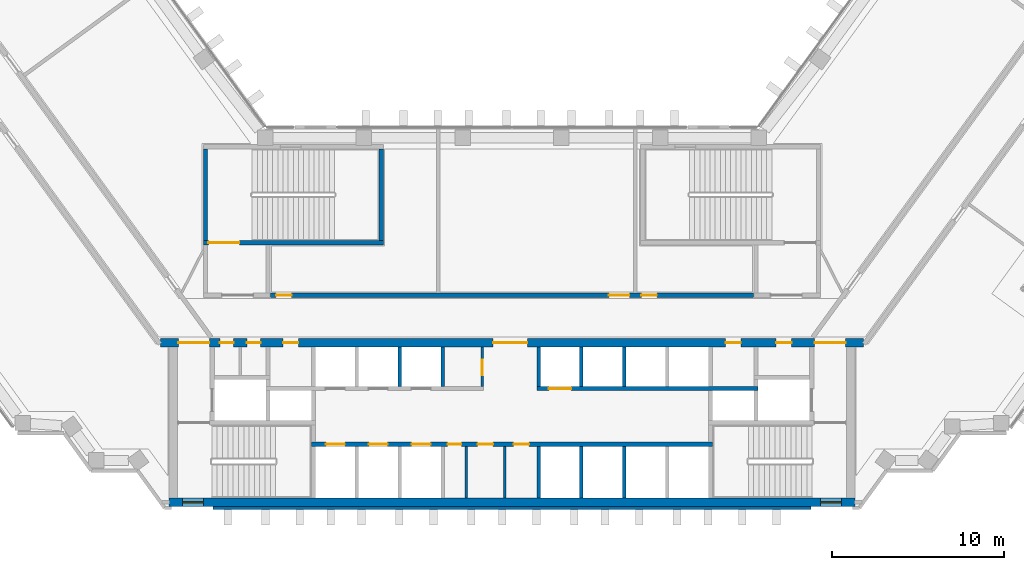
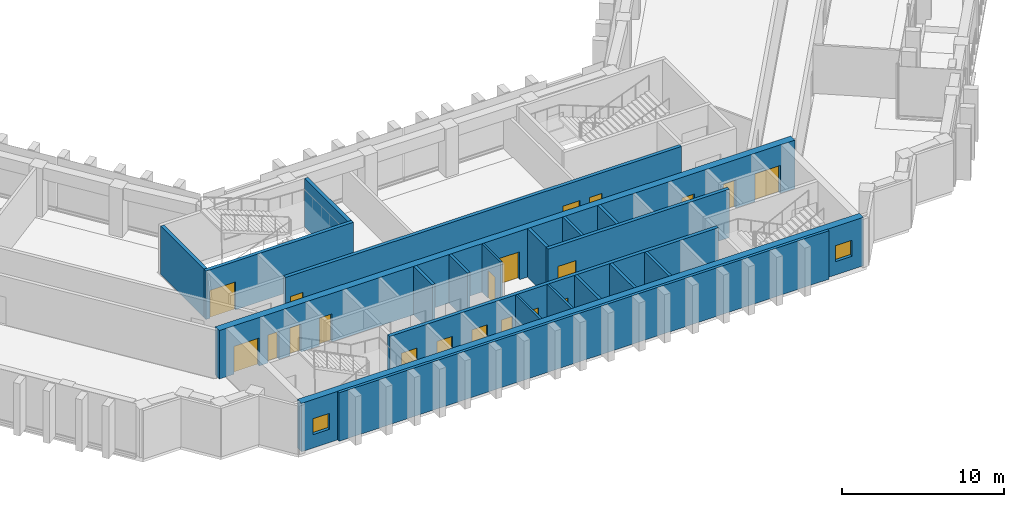
# One storey, part 8 of 15: 20 doors, 20 walls, 2 windows, 22 openings.
"""IFC4 building model written with IfcOpenShell, lengths in metres."""

import ifcopenshell
import ifcopenshell.guid

model = None  # the IFC model being written
_history = None  # IfcOwnerHistory: only IFC2X3 demands one
_inside = {}  # id of a spatial element -> (the spatial element, [elements in it])
_under = {}  # id of a project, library or spatial element -> (it, [spatial elements below it])
_declared = {}  # id of a project -> (the project, [libraries it declares])
_typed = {}  # id of a type object -> (the type object, [elements of that type])
_made_of = {}  # id of a material, layer set ... -> (it, [elements and type objects made of it])


def new_model(schema):
    """Start an empty IFC model of exactly this schema.

    Asked for "IFC4X3", IfcOpenShell would pick the latest addendum, in which some entities
    have other attributes; the version numbers below select the first issue.
    IFC2X3 requires an IfcOwnerHistory on every rooted entity: one is made here for all.
    """
    global model, _history
    if schema == "IFC4X3":
        model = ifcopenshell.file(schema_version=(4, 3, 0, 0))
    else:
        model = ifcopenshell.file(schema=schema)
    _inside.clear()
    _under.clear()
    _declared.clear()
    _typed.clear()
    _made_of.clear()
    _history = None
    if model.schema == "IFC2X3":
        org = make("IfcOrganization", Name="unknown")
        user = make(
            "IfcPersonAndOrganization",
            ThePerson=make("IfcPerson", FamilyName="unknown"),
            TheOrganization=org,
        )
        app = make(
            "IfcApplication",
            ApplicationDeveloper=org,
            Version="unknown",
            ApplicationFullName="unknown",
            ApplicationIdentifier="unknown",
        )
        _history = make(
            "IfcOwnerHistory",
            OwningUser=user,
            OwningApplication=app,
            ChangeAction="ADDED",
            CreationDate=0,
        )
    return model


def make(cls, **values):
    """One entity of the class cls with the attributes given. An attribute that is None is left unset."""
    return model.create_entity(
        cls, **{name: value for name, value in values.items() if value is not None}
    )


def rooted(cls, **values):
    """An entity with a GlobalId (a new one), such as an element, a storey or a relation."""
    return make(cls, GlobalId=ifcopenshell.guid.new(), OwnerHistory=_history, **values)


def si_unit(unit_type, name, prefix=None):
    """IfcSIUnit, for example si_unit("LENGTHUNIT", "METRE", prefix="MILLI")."""
    return make("IfcSIUnit", UnitType=unit_type, Prefix=prefix, Name=name)


def assignment(units):
    """IfcUnitAssignment: the units of a project."""
    return None if units is None else make("IfcUnitAssignment", Units=units)


def point(xyz):
    """IfcCartesianPoint."""
    return None if xyz is None else make("IfcCartesianPoint", Coordinates=xyz)


def direction(xyz):
    """IfcDirection."""
    return None if xyz is None else make("IfcDirection", DirectionRatios=xyz)


def frame(location, z_axis=None, x_axis=None):
    """IfcAxis2Placement3D, a coordinate frame: its origin and axes. An axis left out is left unset."""
    return make(
        "IfcAxis2Placement3D",
        Location=point(location),
        Axis=direction(z_axis),
        RefDirection=direction(x_axis),
    )


def frame_2d(location, x_axis=None):
    """IfcAxis2Placement2D, a coordinate frame in the plane: its origin and x axis."""
    return make(
        "IfcAxis2Placement2D", Location=point(location), RefDirection=direction(x_axis)
    )


def origin():
    """The frame at (0, 0, 0) with its axes left unset."""
    return frame((0.0, 0.0, 0.0))


def place(relative_to, where):
    """IfcLocalPlacement: puts the frame where relative to a parent placement (None: the world)."""
    return make(
        "IfcLocalPlacement", PlacementRelTo=relative_to, RelativePlacement=where
    )


def context(
    kind, dimensions, precision=None, world=None, true_north=None, identifier=None
):
    """IfcGeometricRepresentationContext, for example the 3D "Model" context."""
    return make(
        "IfcGeometricRepresentationContext",
        ContextIdentifier=identifier,
        ContextType=kind,
        CoordinateSpaceDimension=dimensions,
        Precision=precision,
        WorldCoordinateSystem=world,
        TrueNorth=true_north,
    )


def subcontext(parent, identifier, kind, view, scale=None):
    """IfcGeometricRepresentationSubContext, for example "Body" below "Model"."""
    return make(
        "IfcGeometricRepresentationSubContext",
        ContextIdentifier=identifier,
        ContextType=kind,
        ParentContext=parent,
        TargetScale=scale,
        TargetView=view,
    )


def project(units=None, contexts=None):
    """IfcProject with its units and contexts."""
    return rooted(
        "IfcProject",
        Name="project",
        RepresentationContexts=contexts,
        UnitsInContext=assignment(units),
    )


def spatial(cls, under=None, at=None, **own):
    """A site, building, storey or space (cls), placed at a placement, below another one or the project."""
    s = rooted(cls, ObjectPlacement=at, **own)
    if under is not None:
        _under.setdefault(under.id(), (under, []))[1].append(s)
    return s


def profile(cls, at=None, kind="AREA", **sizes):
    """A parametric profile (cls). Its sizes go by their IFC names, for example OverallWidth=200.0."""
    return make(cls, ProfileType=kind, Position=at, **sizes)


def rectangle(**sizes):
    """IfcRectangleProfileDef."""
    return profile("IfcRectangleProfileDef", **sizes)


def extrude(swept, where, along, depth):
    """IfcExtrudedAreaSolid: the profile swept, set in the frame where, extruded along a direction by depth."""
    return make(
        "IfcExtrudedAreaSolid",
        SweptArea=swept,
        Position=where,
        ExtrudedDirection=direction(along),
        Depth=depth,
    )


def shape(context_of_items, identifier, shape_type, items):
    """IfcShapeRepresentation: the items that make up one representation, for example the "Body"."""
    return make(
        "IfcShapeRepresentation",
        ContextOfItems=context_of_items,
        RepresentationIdentifier=identifier,
        RepresentationType=shape_type,
        Items=items,
    )


def material(Name=None, Category=None):
    """IfcMaterial."""
    return make("IfcMaterial", Name=Name, Category=Category)


def layer(
    of_material, thickness, ventilated=None, Name=None, Category=None, Priority=None
):
    """IfcMaterialLayer: one layer of a wall or slab, of a material (None: an air gap)."""
    return make(
        "IfcMaterialLayer",
        Material=of_material,
        LayerThickness=thickness,
        IsVentilated=ventilated,
        Name=Name,
        Category=Category,
        Priority=Priority,
    )


def layer_set(layers, Name=None):
    """IfcMaterialLayerSet."""
    return make("IfcMaterialLayerSet", MaterialLayers=layers, LayerSetName=Name)


def made_of(thing, what):
    """Note that an element or type object is made of a material, layer set ...; save() writes the relation."""
    if what is not None:
        _made_of.setdefault(what.id(), (what, []))[1].append(thing)
    return thing


def type_object(cls, material=None, **own):
    """A type object (cls), such as IfcWallType, which elements share."""
    return made_of(rooted(cls, **own), material)


def element(
    cls,
    number,
    at=None,
    inside=None,
    cuts=None,
    type_object=None,
    material=None,
    context=None,
    identifier="Body",
    shape_type=None,
    held_by="IfcProductDefinitionShape",
    body=None,
    shapes=None,
    **own,
):
    """One element of the class cls, such as IfcWall. Its Tag is "e" and its number.

    at: its placement. inside: the storey or other place that contains it. cuts: it is an
    opening in that element (IfcRelVoidsElement). A single representation is given by context,
    identifier, shape_type and body (its items); several are given by shapes. held_by: the class
    of the entity that holds the representations. save() writes the other relations.
    """
    e = rooted(cls, Tag="e%d" % number, ObjectPlacement=at, **own)
    if body is not None:
        shapes = [shape(context, identifier, shape_type, body)]
    if shapes is not None:
        e.Representation = make(held_by, Representations=shapes)
    if inside is not None:
        _inside.setdefault(inside.id(), (inside, []))[1].append(e)
    if cuts is not None:
        rooted(
            "IfcRelVoidsElement", RelatingBuildingElement=cuts, RelatedOpeningElement=e
        )
    if type_object is not None:
        _typed.setdefault(type_object.id(), (type_object, []))[1].append(e)
    return made_of(e, material)


def fill(opening, filler):
    """IfcRelFillsElement: the door or window that sits in an opening."""
    return rooted(
        "IfcRelFillsElement",
        RelatingOpeningElement=opening,
        RelatedBuildingElement=filler,
    )


def aggregate(whole, parts):
    """IfcRelAggregates: a whole, such as a stair, and the parts it consists of."""
    return rooted("IfcRelAggregates", RelatingObject=whole, RelatedObjects=parts)


def save(model, path):
    """Write the relations noted so far, then the file.

    IfcRelAggregates (storeys below a building ...), IfcRelContainedInSpatialStructure (elements
    in a storey), IfcRelDefinesByType, IfcRelAssociatesMaterial and IfcRelDeclares: one each for
    every whole, place, type object, material and project.
    """
    for whole, parts in _under.values():
        aggregate(whole, parts)
    for where, things in _inside.values():
        rooted(
            "IfcRelContainedInSpatialStructure",
            RelatedElements=things,
            RelatingStructure=where,
        )
    for kind, things in _typed.values():
        rooted("IfcRelDefinesByType", RelatedObjects=things, RelatingType=kind)
    for what, things in _made_of.values():
        rooted("IfcRelAssociatesMaterial", RelatedObjects=things, RelatingMaterial=what)
    for by, libraries in _declared.values():
        rooted("IfcRelDeclares", RelatingContext=by, RelatedDefinitions=libraries)
    model.write(path)


model = new_model("IFC4")

# Units and contexts
model_context = context("Model", 3, precision=1e-05, world=origin(), true_north=direction((0.0, 1.0)))
body_context = subcontext(model_context, "Body", "Model", "MODEL_VIEW")
ifc_project = project(units=[si_unit("LENGTHUNIT", "METRE"), si_unit("AREAUNIT", "SQUARE_METRE"), si_unit("VOLUMEUNIT", "CUBIC_METRE"), si_unit("PLANEANGLEUNIT", "RADIAN"), si_unit("MASSUNIT", "GRAM", prefix="KILO")], contexts=[model_context])

# Site, building, storey
site_placement = place(None, origin())
site = spatial("IfcSite", under=ifc_project, at=site_placement, CompositionType="ELEMENT")
building_placement = place(site_placement, origin())
building = spatial("IfcBuilding", under=site, at=building_placement, Name="Quipu Civic Tower", CompositionType="ELEMENT")
storey_placement = place(building_placement, frame((0.0, 0.0, 97.0)))
storey = spatial("IfcBuildingStorey", under=building, at=storey_placement, Name="L22", CompositionType="ELEMENT", Elevation=97.0)

# Wall, openings, doors
ifc_material_1 = material(Name="Concrete C70/85", Category="concrete")
ifc_layer_1 = layer(ifc_material_1, 0.25)
ifc_layer_set_1 = layer_set([ifc_layer_1], Name="Concrete C70/85")
wall_type_1 = type_object("IfcWallType", Name="Core wall 250", PredefinedType="SHEAR", material=ifc_layer_set_1)
wall_1_placement = place(storey_placement, frame((11.699951171875, -7.375, 0.0), z_axis=(0.0, 0.0, 1.0), x_axis=(-1.0, 0.0, 0.0)))
wall_1 = element("IfcWall", 1, at=wall_1_placement, inside=storey, type_object=wall_type_1, Name="Core wall", PredefinedType="SHEAR", context=body_context, shape_type="SweptSolid", body=[
    extrude(rectangle(XDim=23.39990234375, YDim=0.25, at=frame_2d((11.699951171875, 0.0))), origin(), (0.0, 0.0, 1.0), 3.64990234375),
])
opening_1_placement = place(wall_1_placement, frame((21.449951171875, 0.0, 0.0)))
opening_1 = element("IfcOpeningElement", 2, at=opening_1_placement, cuts=wall_1, Name="Opening LD-LL1", PredefinedType="OPENING", context=body_context, shape_type="SweptSolid", body=[
    extrude(rectangle(XDim=1.10009765625, YDim=2.10009765625, at=frame_2d((0.550048828125, 1.050048828125))), frame((0.0, 0.135009765625, 0.0), z_axis=(0.0, -1.0, 0.0), x_axis=(1.0, 0.0, 0.0)), (0.0, 0.0, 1.0), 0.27001953125),
])
opening_2_placement = place(wall_1_placement, frame((18.949951171875, 0.0, 0.0)))
opening_2 = element("IfcOpeningElement", 3, at=opening_2_placement, cuts=wall_1, Name="Opening LD-LL2", PredefinedType="OPENING", context=body_context, shape_type="SweptSolid", body=[
    extrude(rectangle(XDim=1.10009765625, YDim=2.10009765625, at=frame_2d((0.550048828125, 1.050048828125))), frame((0.0, 0.135009765625, 0.0), z_axis=(0.0, -1.0, 0.0), x_axis=(1.0, 0.0, 0.0)), (0.0, 0.0, 1.0), 0.27001953125),
])
opening_3_placement = place(wall_1_placement, frame((16.449951171875, 0.0, 0.0)))
opening_3 = element("IfcOpeningElement", 4, at=opening_3_placement, cuts=wall_1, Name="Opening LD-LL3", PredefinedType="OPENING", context=body_context, shape_type="SweptSolid", body=[
    extrude(rectangle(XDim=1.10009765625, YDim=2.10009765625, at=frame_2d((0.550048828125, 1.050048828125))), frame((0.0, 0.135009765625, 0.0), z_axis=(0.0, -1.0, 0.0), x_axis=(1.0, 0.0, 0.0)), (0.0, 0.0, 1.0), 0.27001953125),
])
opening_4_placement = place(wall_1_placement, frame((14.64990234375, 0.0, 0.0)))
opening_4 = element("IfcOpeningElement", 5, at=opening_4_placement, cuts=wall_1, Name="Opening CD-01", PredefinedType="OPENING", context=body_context, shape_type="SweptSolid", body=[
    extrude(rectangle(XDim=0.800048828125, YDim=2.10009765625, at=frame_2d((0.39990234375, 1.050048828125))), frame((0.0, 0.135009765625, 0.0), z_axis=(0.0, -1.0, 0.0), x_axis=(1.0, 0.0, 0.0)), (0.0, 0.0, 1.0), 0.27001953125),
])
opening_5_placement = place(wall_1_placement, frame((12.800048828125, 0.0, 0.0)))
opening_5 = element("IfcOpeningElement", 6, at=opening_5_placement, cuts=wall_1, Name="Opening CD-02", PredefinedType="OPENING", context=body_context, shape_type="SweptSolid", body=[
    extrude(rectangle(XDim=0.89990234375, YDim=2.10009765625, at=frame_2d((0.449951171875, 1.050048828125))), frame((0.0, 0.135009765625, 0.0), z_axis=(0.0, -1.0, 0.0), x_axis=(1.0, 0.0, 0.0)), (0.0, 0.0, 1.0), 0.27001953125),
])
opening_6_placement = place(wall_1_placement, frame((10.699951171875, 0.0, 0.0)))
opening_6 = element("IfcOpeningElement", 7, at=opening_6_placement, cuts=wall_1, Name="Opening CD-03", PredefinedType="OPENING", context=body_context, shape_type="SweptSolid", body=[
    extrude(rectangle(XDim=0.89990234375, YDim=2.10009765625, at=frame_2d((0.449951171875, 1.050048828125))), frame((0.0, 0.135009765625, 0.0), z_axis=(0.0, -1.0, 0.0), x_axis=(1.0, 0.0, 0.0)), (0.0, 0.0, 1.0), 0.27001953125),
])
ifc_material_2 = material(Name="Fire rated steel door", Category="steel")
door_type_1 = type_object("IfcDoorType", Name="Fire door FD60 800 x 2100", OperationType="NOTDEFINED", PredefinedType="DOOR", material=ifc_material_2)
door_1_placement = place(opening_4_placement, origin())
door_1 = element("IfcDoor", 8, at=door_1_placement, inside=storey, type_object=door_type_1, Name="Door", OperationType="SINGLE_SWING_RIGHT", OverallHeight=2.10009765625, OverallWidth=0.800048828125, PredefinedType="DOOR", context=body_context, shape_type="SweptSolid", body=[
    extrude(rectangle(XDim=0.800048828125, YDim=2.10009765625, at=frame_2d((0.39990234375, 1.050048828125))), frame((0.0, 0.02490234375, 0.0), z_axis=(0.0, -1.0, 0.0), x_axis=(1.0, 0.0, 0.0)), (0.0, 0.0, 1.0), 0.050048828125),
])
fill(opening_4, door_1)
ifc_material_3 = material(Name="Fire rated steel door", Category="steel")
door_type_2 = type_object("IfcDoorType", Name="Fire door FD60 900 x 2100", OperationType="NOTDEFINED", PredefinedType="DOOR", material=ifc_material_3)
door_2_placement = place(opening_5_placement, origin())
door_2 = element("IfcDoor", 9, at=door_2_placement, inside=storey, type_object=door_type_2, Name="WC door", OperationType="SINGLE_SWING_RIGHT", OverallHeight=2.10009765625, OverallWidth=0.89990234375, PredefinedType="DOOR", context=body_context, shape_type="SweptSolid", body=[
    extrude(rectangle(XDim=0.89990234375, YDim=2.10009765625, at=frame_2d((0.449951171875, 1.050048828125))), frame((0.0, 0.02490234375, 0.0), z_axis=(0.0, -1.0, 0.0), x_axis=(1.0, 0.0, 0.0)), (0.0, 0.0, 1.0), 0.050048828125),
])
fill(opening_5, door_2)
door_3_placement = place(opening_6_placement, origin())
door_3 = element("IfcDoor", 10, at=door_3_placement, inside=storey, type_object=door_type_2, Name="WC door", OperationType="SINGLE_SWING_LEFT", OverallHeight=2.10009765625, OverallWidth=0.89990234375, PredefinedType="DOOR", context=body_context, shape_type="SweptSolid", body=[
    extrude(rectangle(XDim=0.89990234375, YDim=2.10009765625, at=frame_2d((0.449951171875, 1.050048828125))), frame((0.0, 0.02490234375, 0.0), z_axis=(0.0, -1.0, 0.0), x_axis=(1.0, 0.0, 0.0)), (0.0, 0.0, 1.0), 0.050048828125),
])
fill(opening_6, door_3)
ifc_material_4 = material(Name="Stainless steel", Category="steel")
door_type_3 = type_object("IfcDoorType", Name="Lift landing door 1100 x 2100", OperationType="DOUBLE_DOOR_SLIDING", PredefinedType="DOOR", material=ifc_material_4)
door_4_placement = place(opening_1_placement, origin())
door_4 = element("IfcDoor", 11, at=door_4_placement, inside=storey, type_object=door_type_3, Name="Landing door LL1", OperationType="DOUBLE_DOOR_SLIDING", OverallHeight=2.10009765625, OverallWidth=1.10009765625, PredefinedType="DOOR", context=body_context, shape_type="SweptSolid", body=[
    extrude(rectangle(XDim=1.10009765625, YDim=2.10009765625, at=frame_2d((0.550048828125, 1.050048828125))), frame((0.0, 0.02490234375, 0.0), z_axis=(0.0, -1.0, 0.0), x_axis=(1.0, 0.0, 0.0)), (0.0, 0.0, 1.0), 0.050048828125),
])
fill(opening_1, door_4)
door_5_placement = place(opening_2_placement, origin())
door_5 = element("IfcDoor", 12, at=door_5_placement, inside=storey, type_object=door_type_3, Name="Landing door LL2", OperationType="DOUBLE_DOOR_SLIDING", OverallHeight=2.10009765625, OverallWidth=1.10009765625, PredefinedType="DOOR", context=body_context, shape_type="SweptSolid", body=[
    extrude(rectangle(XDim=1.10009765625, YDim=2.10009765625, at=frame_2d((0.550048828125, 1.050048828125))), frame((0.0, 0.02490234375, 0.0), z_axis=(0.0, -1.0, 0.0), x_axis=(1.0, 0.0, 0.0)), (0.0, 0.0, 1.0), 0.050048828125),
])
fill(opening_2, door_5)
door_6_placement = place(opening_3_placement, origin())
door_6 = element("IfcDoor", 13, at=door_6_placement, inside=storey, type_object=door_type_3, Name="Landing door LL3", OperationType="DOUBLE_DOOR_SLIDING", OverallHeight=2.10009765625, OverallWidth=1.10009765625, PredefinedType="DOOR", context=body_context, shape_type="SweptSolid", body=[
    extrude(rectangle(XDim=1.10009765625, YDim=2.10009765625, at=frame_2d((0.550048828125, 1.050048828125))), frame((0.0, 0.02490234375, 0.0), z_axis=(0.0, -1.0, 0.0), x_axis=(1.0, 0.0, 0.0)), (0.0, 0.0, 1.0), 0.050048828125),
])
fill(opening_3, door_6)

# Wall, opening, door
wall_2_placement = place(storey_placement, frame((1.449951171875, -4.125, 0.0), z_axis=(0.0, 0.0, 1.0), x_axis=(1.0, 0.0, 0.0)))
wall_2 = element("IfcWall", 14, at=wall_2_placement, inside=storey, type_object=wall_type_1, Name="Core wall", PredefinedType="SHEAR", context=body_context, shape_type="SweptSolid", body=[
    extrude(rectangle(XDim=12.900146484375, YDim=0.25, at=frame_2d((6.4501953125, 0.0))), origin(), (0.0, 0.0, 1.0), 3.64990234375),
])
opening_7_placement = place(wall_2_placement, frame((0.699951171875, 0.0, 0.0)))
opening_7 = element("IfcOpeningElement", 15, at=opening_7_placement, cuts=wall_2, Name="Opening LD-FF3", PredefinedType="OPENING", context=body_context, shape_type="SweptSolid", body=[
    extrude(rectangle(XDim=1.300048828125, YDim=2.10009765625, at=frame_2d((0.64990234375, 1.050048828125))), frame((0.0, 0.135009765625, 0.0), z_axis=(0.0, -1.0, 0.0), x_axis=(1.0, 0.0, 0.0)), (0.0, 0.0, 1.0), 0.27001953125),
])
ifc_material_5 = material(Name="Stainless steel", Category="steel")
door_type_4 = type_object("IfcDoorType", Name="Lift landing door 1300 x 2100", OperationType="DOUBLE_DOOR_SLIDING", PredefinedType="DOOR", material=ifc_material_5)
door_7_placement = place(opening_7_placement, origin())
door_7 = element("IfcDoor", 16, at=door_7_placement, inside=storey, type_object=door_type_4, Name="Landing door FF3", OperationType="DOUBLE_DOOR_SLIDING", OverallHeight=2.10009765625, OverallWidth=1.300048828125, PredefinedType="DOOR", context=body_context, shape_type="SweptSolid", body=[
    extrude(rectangle(XDim=1.300048828125, YDim=2.10009765625, at=frame_2d((0.64990234375, 1.050048828125))), frame((0.0, 0.02490234375, 0.0), z_axis=(0.0, -1.0, 0.0), x_axis=(1.0, 0.0, 0.0)), (0.0, 0.0, 1.0), 0.050048828125),
])
fill(opening_7, door_7)

wall_3_placement = place(storey_placement, frame((-18.0, 4.375, 0.0), z_axis=(0.0, 0.0, 1.0), x_axis=(1.0, 0.0, 0.0)))
wall_3 = element("IfcWall", 17, at=wall_3_placement, inside=storey, type_object=wall_type_1, Name="Core wall", PredefinedType="SHEAR", context=body_context, shape_type="SweptSolid", body=[
    extrude(rectangle(XDim=10.5, YDim=0.25, at=frame_2d((5.25, 0.0))), origin(), (0.0, 0.0, 1.0), 3.64990234375),
])
opening_8_placement = place(wall_3_placement, frame((0.300048828125, 0.0, 0.0)))
opening_8 = element("IfcOpeningElement", 18, at=opening_8_placement, cuts=wall_3, Name="Opening CD-16", PredefinedType="OPENING", context=body_context, shape_type="SweptSolid", body=[
    extrude(rectangle(XDim=1.800048828125, YDim=2.10009765625, at=frame_2d((0.89990234375, 1.050048828125))), frame((0.0, 0.135009765625, 0.0), z_axis=(0.0, -1.0, 0.0), x_axis=(1.0, 0.0, 0.0)), (0.0, 0.0, 1.0), 0.27001953125),
])
ifc_material_6 = material(Name="Fire rated steel door", Category="steel")
door_type_5 = type_object("IfcDoorType", Name="Fire door FD90 double 1800 x 2100", OperationType="NOTDEFINED", PredefinedType="DOOR", material=ifc_material_6)
door_8_placement = place(opening_8_placement, origin())
door_8 = element("IfcDoor", 19, at=door_8_placement, inside=storey, type_object=door_type_5, Name="Door", OperationType="DOUBLE_DOOR_SINGLE_SWING", OverallHeight=2.10009765625, OverallWidth=1.800048828125, PredefinedType="DOOR", context=body_context, shape_type="SweptSolid", body=[
    extrude(rectangle(XDim=1.800048828125, YDim=2.10009765625, at=frame_2d((0.89990234375, 1.050048828125))), frame((0.0, 0.02490234375, 0.0), z_axis=(0.0, -1.0, 0.0), x_axis=(1.0, 0.0, 0.0)), (0.0, 0.0, 1.0), 0.050048828125),
])
fill(opening_8, door_8)

# Walls
for number, where, z_axis, x_axis, name in (
    (20, (-17.875, 4.5, 0.0), (0.0, 0.0, 1.0), (0.0, 1.0, 0.0), "Core wall"),
    (21, (-7.625, 4.5, 0.0), (0.0, 0.0, 1.0), (0.0, 1.0, 0.0), "Core wall"),
):
    element("IfcWall", number, at=place(storey_placement, frame(where, z_axis=z_axis, x_axis=x_axis)), inside=storey, type_object=wall_type_1, Name=name, PredefinedType="SHEAR", context=body_context, shape_type="SweptSolid", body=[
        extrude(rectangle(XDim=5.35009765625, YDim=0.25, at=frame_2d((2.675048828125, 0.0))), origin(), (0.0, 0.0, 1.0), 3.64990234375),
    ])

# Wall, openings, windows
ifc_material_7 = material(Name="Concrete C70/85", Category="concrete")
ifc_layer_2 = layer(ifc_material_7, 0.5)
ifc_layer_set_2 = layer_set([ifc_layer_2], Name="Concrete C70/85")
wall_type_2 = type_object("IfcWallType", Name="Core wall 500", PredefinedType="SHEAR", material=ifc_layer_set_2)
wall_4_placement = place(storey_placement, frame((-20.0, -10.75, 0.0), z_axis=(0.0, 0.0, 1.0), x_axis=(1.0, 0.0, 0.0)))
wall_4 = element("IfcWall", 22, at=wall_4_placement, inside=storey, type_object=wall_type_2, Name="Core wall", PredefinedType="SHEAR", context=body_context, shape_type="SweptSolid", body=[
    extrude(rectangle(XDim=40.0, YDim=0.5, at=frame_2d((20.0, 0.0))), origin(), (0.0, 0.0, 1.0), 3.64990234375),
])
opening_9_placement = place(wall_4_placement, frame((0.800048828125, 0.0, 1.0)))
opening_9 = element("IfcOpeningElement", 23, at=opening_9_placement, cuts=wall_4, Name="Opening SV-1", PredefinedType="OPENING", context=body_context, shape_type="SweptSolid", body=[
    extrude(rectangle(XDim=1.199951171875, YDim=1.199951171875, at=frame_2d((0.60009765625, 0.60009765625))), frame((0.0, 0.260009765625, 0.0), z_axis=(0.0, -1.0, 0.0), x_axis=(1.0, 0.0, 0.0)), (0.0, 0.0, 1.0), 0.52001953125),
])
opening_10_placement = place(wall_4_placement, frame((38.0, 0.0, 1.0)))
opening_10 = element("IfcOpeningElement", 24, at=opening_10_placement, cuts=wall_4, Name="Opening SV-2", PredefinedType="OPENING", context=body_context, shape_type="SweptSolid", body=[
    extrude(rectangle(XDim=1.199951171875, YDim=1.199951171875, at=frame_2d((0.60009765625, 0.60009765625))), frame((0.0, 0.260009765625, 0.0), z_axis=(0.0, -1.0, 0.0), x_axis=(1.0, 0.0, 0.0)), (0.0, 0.0, 1.0), 0.52001953125),
])
ifc_material_8 = material(Name="Aluminium louvre", Category="aluminium")
window_type = type_object("IfcWindowType", Name="Stair ventilation louvre 1200 x 1200", PartitioningType="SINGLE_PANEL", PredefinedType="WINDOW", material=ifc_material_8)
window_1_placement = place(opening_9_placement, origin())
window_1 = element("IfcWindow", 25, at=window_1_placement, inside=storey, type_object=window_type, Name="Stair ventilation opening", OverallHeight=1.199951171875, OverallWidth=1.199951171875, PartitioningType="SINGLE_PANEL", PredefinedType="WINDOW", context=body_context, shape_type="SweptSolid", body=[
    extrude(rectangle(XDim=1.199951171875, YDim=1.199951171875, at=frame_2d((0.60009765625, 0.60009765625))), frame((0.0, 0.030029296875, 0.0), z_axis=(0.0, -1.0, 0.0), x_axis=(1.0, 0.0, 0.0)), (0.0, 0.0, 1.0), 0.06005859375),
])
fill(opening_9, window_1)
window_2_placement = place(opening_10_placement, origin())
window_2 = element("IfcWindow", 26, at=window_2_placement, inside=storey, type_object=window_type, Name="Stair ventilation opening", OverallHeight=1.199951171875, OverallWidth=1.199951171875, PartitioningType="SINGLE_PANEL", PredefinedType="WINDOW", context=body_context, shape_type="SweptSolid", body=[
    extrude(rectangle(XDim=1.199951171875, YDim=1.199951171875, at=frame_2d((0.60009765625, 0.60009765625))), frame((0.0, 0.030029296875, 0.0), z_axis=(0.0, -1.0, 0.0), x_axis=(1.0, 0.0, 0.0)), (0.0, 0.0, 1.0), 0.06005859375),
])
fill(opening_10, window_2)

# Wall, openings, doors
wall_5_placement = place(storey_placement, frame((20.489990234375, -1.449951171875, 0.0), z_axis=(0.0, 0.0, 1.0), x_axis=(-1.0, 0.0, 0.0)))
wall_5 = element("IfcWall", 27, at=wall_5_placement, inside=storey, type_object=wall_type_2, Name="Core wall", PredefinedType="SHEAR", context=body_context, shape_type="SweptSolid", body=[
    extrude(rectangle(XDim=40.97998046875, YDim=0.5, at=frame_2d((20.489990234375, 0.0))), origin(), (0.0, 0.0, 1.0), 3.64990234375),
])
opening_11_placement = place(wall_5_placement, frame((38.139892578125, 0.0, 0.0)))
opening_11 = element("IfcOpeningElement", 28, at=opening_11_placement, cuts=wall_5, Name="Opening CD-07", PredefinedType="OPENING", context=body_context, shape_type="SweptSolid", body=[
    extrude(rectangle(XDim=1.800048828125, YDim=2.10009765625, at=frame_2d((0.89990234375, 1.050048828125))), frame((0.0, 0.260009765625, 0.0), z_axis=(0.0, -1.0, 0.0), x_axis=(1.0, 0.0, 0.0)), (0.0, 0.0, 1.0), 0.52001953125),
])
opening_12_placement = place(wall_5_placement, frame((36.7275390625, 0.0, 0.0)))
opening_12 = element("IfcOpeningElement", 29, at=opening_12_placement, cuts=wall_5, Name="Opening CD-08", PredefinedType="OPENING", context=body_context, shape_type="SweptSolid", body=[
    extrude(rectangle(XDim=0.800048828125, YDim=2.10009765625, at=frame_2d((0.39990234375, 1.050048828125))), frame((0.0, 0.260009765625, 0.0), z_axis=(0.0, -1.0, 0.0), x_axis=(1.0, 0.0, 0.0)), (0.0, 0.0, 1.0), 0.52001953125),
])
opening_13_placement = place(wall_5_placement, frame((35.152587890625, 0.0, 0.0)))
opening_13 = element("IfcOpeningElement", 30, at=opening_13_placement, cuts=wall_5, Name="Opening CD-09", PredefinedType="OPENING", context=body_context, shape_type="SweptSolid", body=[
    extrude(rectangle(XDim=0.800048828125, YDim=2.10009765625, at=frame_2d((0.39990234375, 1.050048828125))), frame((0.0, 0.260009765625, 0.0), z_axis=(0.0, -1.0, 0.0), x_axis=(1.0, 0.0, 0.0)), (0.0, 0.0, 1.0), 0.52001953125),
])
opening_14_placement = place(wall_5_placement, frame((32.93994140625, 0.0, 0.0)))
opening_14 = element("IfcOpeningElement", 31, at=opening_14_placement, cuts=wall_5, Name="Opening CD-10", PredefinedType="OPENING", context=body_context, shape_type="SweptSolid", body=[
    extrude(rectangle(XDim=0.89990234375, YDim=2.10009765625, at=frame_2d((0.449951171875, 1.050048828125))), frame((0.0, 0.260009765625, 0.0), z_axis=(0.0, -1.0, 0.0), x_axis=(1.0, 0.0, 0.0)), (0.0, 0.0, 1.0), 0.52001953125),
])
opening_15_placement = place(wall_5_placement, frame((19.590087890625, 0.0, 0.0)))
opening_15 = element("IfcOpeningElement", 32, at=opening_15_placement, cuts=wall_5, Name="Opening CD-11", PredefinedType="OPENING", context=body_context, shape_type="SweptSolid", body=[
    extrude(rectangle(XDim=2.0, YDim=2.10009765625, at=frame_2d((1.0, 1.050048828125))), frame((0.0, 0.260009765625, 0.0), z_axis=(0.0, -1.0, 0.0), x_axis=(1.0, 0.0, 0.0)), (0.0, 0.0, 1.0), 0.52001953125),
])
opening_16_placement = place(wall_5_placement, frame((7.139892578125, 0.0, 0.0)))
opening_16 = element("IfcOpeningElement", 33, at=opening_16_placement, cuts=wall_5, Name="Opening CD-12", PredefinedType="OPENING", context=body_context, shape_type="SweptSolid", body=[
    extrude(rectangle(XDim=0.89990234375, YDim=2.10009765625, at=frame_2d((0.449951171875, 1.050048828125))), frame((0.0, 0.260009765625, 0.0), z_axis=(0.0, -1.0, 0.0), x_axis=(1.0, 0.0, 0.0)), (0.0, 0.0, 1.0), 0.52001953125),
])
opening_17_placement = place(wall_5_placement, frame((4.18994140625, 0.0, 0.0)))
opening_17 = element("IfcOpeningElement", 34, at=opening_17_placement, cuts=wall_5, Name="Opening CD-13", PredefinedType="OPENING", context=body_context, shape_type="SweptSolid", body=[
    extrude(rectangle(XDim=0.89990234375, YDim=2.10009765625, at=frame_2d((0.449951171875, 1.050048828125))), frame((0.0, 0.260009765625, 0.0), z_axis=(0.0, -1.0, 0.0), x_axis=(1.0, 0.0, 0.0)), (0.0, 0.0, 1.0), 0.52001953125),
])
opening_18_placement = place(wall_5_placement, frame((1.0400390625, 0.0, 0.0)))
opening_18 = element("IfcOpeningElement", 35, at=opening_18_placement, cuts=wall_5, Name="Opening CD-14", PredefinedType="OPENING", context=body_context, shape_type="SweptSolid", body=[
    extrude(rectangle(XDim=1.800048828125, YDim=2.10009765625, at=frame_2d((0.89990234375, 1.050048828125))), frame((0.0, 0.260009765625, 0.0), z_axis=(0.0, -1.0, 0.0), x_axis=(1.0, 0.0, 0.0)), (0.0, 0.0, 1.0), 0.52001953125),
])
door_9_placement = place(opening_12_placement, origin())
door_9 = element("IfcDoor", 36, at=door_9_placement, inside=storey, type_object=door_type_1, Name="Door", OperationType="SINGLE_SWING_RIGHT", OverallHeight=2.10009765625, OverallWidth=0.800048828125, PredefinedType="DOOR", context=body_context, shape_type="SweptSolid", body=[
    extrude(rectangle(XDim=0.800048828125, YDim=2.10009765625, at=frame_2d((0.39990234375, 1.050048828125))), frame((0.0, 0.02490234375, 0.0), z_axis=(0.0, -1.0, 0.0), x_axis=(1.0, 0.0, 0.0)), (0.0, 0.0, 1.0), 0.050048828125),
])
fill(opening_12, door_9)
door_10_placement = place(opening_13_placement, origin())
door_10 = element("IfcDoor", 37, at=door_10_placement, inside=storey, type_object=door_type_1, Name="Door", OperationType="SINGLE_SWING_RIGHT", OverallHeight=2.10009765625, OverallWidth=0.800048828125, PredefinedType="DOOR", context=body_context, shape_type="SweptSolid", body=[
    extrude(rectangle(XDim=0.800048828125, YDim=2.10009765625, at=frame_2d((0.39990234375, 1.050048828125))), frame((0.0, 0.02490234375, 0.0), z_axis=(0.0, -1.0, 0.0), x_axis=(1.0, 0.0, 0.0)), (0.0, 0.0, 1.0), 0.050048828125),
])
fill(opening_13, door_10)
door_11_placement = place(opening_14_placement, origin())
door_11 = element("IfcDoor", 38, at=door_11_placement, inside=storey, type_object=door_type_2, Name="Riser door", OperationType="SINGLE_SWING_RIGHT", OverallHeight=2.10009765625, OverallWidth=0.89990234375, PredefinedType="DOOR", context=body_context, shape_type="SweptSolid", body=[
    extrude(rectangle(XDim=0.89990234375, YDim=2.10009765625, at=frame_2d((0.449951171875, 1.050048828125))), frame((0.0, 0.02490234375, 0.0), z_axis=(0.0, -1.0, 0.0), x_axis=(1.0, 0.0, 0.0)), (0.0, 0.0, 1.0), 0.050048828125),
])
fill(opening_14, door_11)
door_12_placement = place(opening_16_placement, origin())
door_12 = element("IfcDoor", 39, at=door_12_placement, inside=storey, type_object=door_type_2, Name="Riser door", OperationType="SINGLE_SWING_LEFT", OverallHeight=2.10009765625, OverallWidth=0.89990234375, PredefinedType="DOOR", context=body_context, shape_type="SweptSolid", body=[
    extrude(rectangle(XDim=0.89990234375, YDim=2.10009765625, at=frame_2d((0.449951171875, 1.050048828125))), frame((0.0, 0.02490234375, 0.0), z_axis=(0.0, -1.0, 0.0), x_axis=(1.0, 0.0, 0.0)), (0.0, 0.0, 1.0), 0.050048828125),
])
fill(opening_16, door_12)
door_13_placement = place(opening_17_placement, origin())
door_13 = element("IfcDoor", 40, at=door_13_placement, inside=storey, type_object=door_type_2, Name="Door", OperationType="SINGLE_SWING_LEFT", OverallHeight=2.10009765625, OverallWidth=0.89990234375, PredefinedType="DOOR", context=body_context, shape_type="SweptSolid", body=[
    extrude(rectangle(XDim=0.89990234375, YDim=2.10009765625, at=frame_2d((0.449951171875, 1.050048828125))), frame((0.0, 0.02490234375, 0.0), z_axis=(0.0, -1.0, 0.0), x_axis=(1.0, 0.0, 0.0)), (0.0, 0.0, 1.0), 0.050048828125),
])
fill(opening_17, door_13)
door_14_placement = place(opening_11_placement, origin())
door_14 = element("IfcDoor", 41, at=door_14_placement, inside=storey, type_object=door_type_5, Name="Lobby door", OperationType="DOUBLE_DOOR_SINGLE_SWING", OverallHeight=2.10009765625, OverallWidth=1.800048828125, PredefinedType="DOOR", context=body_context, shape_type="SweptSolid", body=[
    extrude(rectangle(XDim=1.800048828125, YDim=2.10009765625, at=frame_2d((0.89990234375, 1.050048828125))), frame((0.0, 0.02490234375, 0.0), z_axis=(0.0, -1.0, 0.0), x_axis=(1.0, 0.0, 0.0)), (0.0, 0.0, 1.0), 0.050048828125),
])
fill(opening_11, door_14)
door_15_placement = place(opening_18_placement, origin())
door_15 = element("IfcDoor", 42, at=door_15_placement, inside=storey, type_object=door_type_5, Name="Lobby door", OperationType="DOUBLE_DOOR_SINGLE_SWING", OverallHeight=2.10009765625, OverallWidth=1.800048828125, PredefinedType="DOOR", context=body_context, shape_type="SweptSolid", body=[
    extrude(rectangle(XDim=1.800048828125, YDim=2.10009765625, at=frame_2d((0.89990234375, 1.050048828125))), frame((0.0, 0.02490234375, 0.0), z_axis=(0.0, -1.0, 0.0), x_axis=(1.0, 0.0, 0.0)), (0.0, 0.0, 1.0), 0.050048828125),
])
fill(opening_18, door_15)
ifc_material_9 = material(Name="Fire rated steel door", Category="steel")
door_type_6 = type_object("IfcDoorType", Name="Fire door FD90 double 2000 x 2100", OperationType="NOTDEFINED", PredefinedType="DOOR", material=ifc_material_9)
door_16_placement = place(opening_15_placement, origin())
door_16 = element("IfcDoor", 43, at=door_16_placement, inside=storey, type_object=door_type_6, Name="Lobby door", OperationType="DOUBLE_DOOR_SINGLE_SWING", OverallHeight=2.10009765625, OverallWidth=2.0, PredefinedType="DOOR", context=body_context, shape_type="SweptSolid", body=[
    extrude(rectangle(XDim=2.0, YDim=2.10009765625, at=frame_2d((1.0, 1.050048828125))), frame((0.0, 0.02490234375, 0.0), z_axis=(0.0, -1.0, 0.0), x_axis=(1.0, 0.0, 0.0)), (0.0, 0.0, 1.0), 0.050048828125),
])
fill(opening_15, door_16)

ifc_material_10 = material(Name="Concrete C50/60", Category="concrete")
ifc_layer_3 = layer(ifc_material_10, 0.25)
ifc_layer_set_3 = layer_set([ifc_layer_3], Name="Concrete C50/60")
wall_type_3 = type_object("IfcWallType", Name="Corridor wall 250 concrete", PredefinedType="SOLIDWALL", material=ifc_layer_set_3)
wall_6_placement = place(storey_placement, frame((-14.090087890625, 1.324951171875, 0.0), z_axis=(0.0, 0.0, 1.0), x_axis=(1.0, 0.0, 0.0)))
wall_6 = element("IfcWall", 44, at=wall_6_placement, inside=storey, type_object=wall_type_3, Name="Corridor wall C05", PredefinedType="SOLIDWALL", context=body_context, shape_type="SweptSolid", body=[
    extrude(rectangle(XDim=28.18017578125, YDim=0.25, at=frame_2d((14.090087890625, 0.0))), origin(), (0.0, 0.0, 1.0), 3.64990234375),
])
opening_19_placement = place(wall_6_placement, frame((19.738037109375, 0.0, 0.0)))
opening_19 = element("IfcOpeningElement", 45, at=opening_19_placement, cuts=wall_6, Name="Opening D007", PredefinedType="OPENING", context=body_context, shape_type="SweptSolid", body=[
    extrude(rectangle(XDim=1.199951171875, YDim=2.10009765625, at=frame_2d((0.60009765625, 1.050048828125))), frame((0.0, 0.135009765625, 0.0), z_axis=(0.0, -1.0, 0.0), x_axis=(1.0, 0.0, 0.0)), (0.0, 0.0, 1.0), 0.27001953125),
])
opening_20_placement = place(wall_6_placement, frame((0.340087890625, 0.0, 0.0)))
opening_20 = element("IfcOpeningElement", 46, at=opening_20_placement, cuts=wall_6, Name="Opening D006", PredefinedType="OPENING", context=body_context, shape_type="SweptSolid", body=[
    extrude(rectangle(XDim=0.89990234375, YDim=2.10009765625, at=frame_2d((0.449951171875, 1.050048828125))), frame((0.0, 0.135009765625, 0.0), z_axis=(0.0, -1.0, 0.0), x_axis=(1.0, 0.0, 0.0)), (0.0, 0.0, 1.0), 0.27001953125),
])
opening_21_placement = place(wall_6_placement, frame((21.637939453125, 0.0, 0.0)))
opening_21 = element("IfcOpeningElement", 47, at=opening_21_placement, cuts=wall_6, Name="Opening D008", PredefinedType="OPENING", context=body_context, shape_type="SweptSolid", body=[
    extrude(rectangle(XDim=0.89990234375, YDim=2.10009765625, at=frame_2d((0.449951171875, 1.050048828125))), frame((0.0, 0.135009765625, 0.0), z_axis=(0.0, -1.0, 0.0), x_axis=(1.0, 0.0, 0.0)), (0.0, 0.0, 1.0), 0.27001953125),
])
ifc_material_11 = material(Name="Fire rated timber door set with metal frame", Category="wood")
door_type_7 = type_object("IfcDoorType", Name="Single door 1200 x 2100 FD60", OperationType="NOTDEFINED", PredefinedType="DOOR", material=ifc_material_11)
door_17_placement = place(opening_19_placement, origin())
door_17 = element("IfcDoor", 48, at=door_17_placement, inside=storey, type_object=door_type_7, Name="Door D007", OperationType="SINGLE_SWING_RIGHT", OverallHeight=2.10009765625, OverallWidth=1.199951171875, PredefinedType="DOOR", context=body_context, shape_type="SweptSolid", body=[
    extrude(rectangle(XDim=1.199951171875, YDim=2.10009765625, at=frame_2d((0.60009765625, 1.050048828125))), frame((0.0, 0.02490234375, 0.0), z_axis=(0.0, -1.0, 0.0), x_axis=(1.0, 0.0, 0.0)), (0.0, 0.0, 1.0), 0.050048828125),
])
fill(opening_19, door_17)
ifc_material_12 = material(Name="Fire rated timber door set with metal frame", Category="wood")
door_type_8 = type_object("IfcDoorType", Name="Single door 900 x 2100 FD60", OperationType="NOTDEFINED", PredefinedType="DOOR", material=ifc_material_12)
door_18_placement = place(opening_20_placement, origin())
door_18 = element("IfcDoor", 49, at=door_18_placement, inside=storey, type_object=door_type_8, Name="Door D006", OperationType="SINGLE_SWING_LEFT", OverallHeight=2.10009765625, OverallWidth=0.89990234375, PredefinedType="DOOR", context=body_context, shape_type="SweptSolid", body=[
    extrude(rectangle(XDim=0.89990234375, YDim=2.10009765625, at=frame_2d((0.449951171875, 1.050048828125))), frame((0.0, 0.02490234375, 0.0), z_axis=(0.0, -1.0, 0.0), x_axis=(1.0, 0.0, 0.0)), (0.0, 0.0, 1.0), 0.050048828125),
])
fill(opening_20, door_18)
door_19_placement = place(opening_21_placement, origin())
door_19 = element("IfcDoor", 50, at=door_19_placement, inside=storey, type_object=door_type_8, Name="Door D008", OperationType="SINGLE_SWING_LEFT", OverallHeight=2.10009765625, OverallWidth=0.89990234375, PredefinedType="DOOR", context=body_context, shape_type="SweptSolid", body=[
    extrude(rectangle(XDim=0.89990234375, YDim=2.10009765625, at=frame_2d((0.449951171875, 1.050048828125))), frame((0.0, 0.02490234375, 0.0), z_axis=(0.0, -1.0, 0.0), x_axis=(1.0, 0.0, 0.0)), (0.0, 0.0, 1.0), 0.050048828125),
])
fill(opening_21, door_19)

# Walls
ifc_material_13 = material(Name="Gypsum board partition")
ifc_layer_4 = layer(ifc_material_13, 0.14990234375)
ifc_layer_set_4 = layer_set([ifc_layer_4], Name="Gypsum board partition")
wall_type_4 = type_object("IfcWallType", Name="Partition 150", PredefinedType="PARTITIONING", material=ifc_layer_set_4)
for number, where, z_axis, x_axis, name in (
    (51, (-2.675048828125, -10.5, 0.0), (0.0, 0.0, 1.0), (0.0, 1.0, 0.0), "Partition"),
    (52, (-0.425048828125, -10.5, 0.0), (0.0, 0.0, 1.0), (0.0, 1.0, 0.0), "Partition"),
):
    element("IfcWall", number, at=place(storey_placement, frame(where, z_axis=z_axis, x_axis=x_axis)), inside=storey, type_object=wall_type_4, Name=name, PredefinedType="PARTITIONING", context=body_context, shape_type="SweptSolid", body=[
        extrude(rectangle(XDim=3.0, YDim=0.14990234375, at=frame_2d((1.5, 0.0))), origin(), (0.0, 0.0, 1.0), 3.64990234375),
    ])

# Wall, opening, door
wall_7_placement = place(storey_placement, frame((-1.72509765625, -1.699951171875, 0.0), z_axis=(0.0, 0.0, 1.0), x_axis=(0.0, -1.0, 0.0)))
wall_7 = element("IfcWall", 53, at=wall_7_placement, inside=storey, type_object=wall_type_4, Name="Partition", PredefinedType="PARTITIONING", context=body_context, shape_type="SweptSolid", body=[
    extrude(rectangle(XDim=2.300048828125, YDim=0.14990234375, at=frame_2d((1.14990234375, 0.0))), origin(), (0.0, 0.0, 1.0), 3.64990234375),
])
opening_22_placement = place(wall_7_placement, frame((0.75, 0.0, 0.0)))
opening_22 = element("IfcOpeningElement", 54, at=opening_22_placement, cuts=wall_7, Name="Opening CD-06", PredefinedType="OPENING", context=body_context, shape_type="SweptSolid", body=[
    extrude(rectangle(XDim=0.89990234375, YDim=2.10009765625, at=frame_2d((0.449951171875, 1.050048828125))), frame((0.0, 0.0849609375, 0.0), z_axis=(0.0, -1.0, 0.0), x_axis=(1.0, 0.0, 0.0)), (0.0, 0.0, 1.0), 0.169921875),
])
door_20_placement = place(opening_22_placement, origin())
door_20 = element("IfcDoor", 55, at=door_20_placement, inside=storey, type_object=door_type_2, Name="WC door", OperationType="SINGLE_SWING_RIGHT", OverallHeight=2.10009765625, OverallWidth=0.89990234375, PredefinedType="DOOR", context=body_context, shape_type="SweptSolid", body=[
    extrude(rectangle(XDim=0.89990234375, YDim=2.10009765625, at=frame_2d((0.449951171875, 1.050048828125))), frame((0.0, 0.02490234375, 0.0), z_axis=(0.0, -1.0, 0.0), x_axis=(1.0, 0.0, 0.0)), (0.0, 0.0, 1.0), 0.050048828125),
])
fill(opening_22, door_20)

# Walls
ifc_material_14 = material(Name="Precast concrete C40/50", Category="concrete")
wall_type_5 = type_object("IfcWallType", Name="Precast cladding wall", PredefinedType="SOLIDWALL", material=ifc_material_14)
wall_8_placement = place(storey_placement, frame((-17.44384765625, -11.087890625, 0.0), z_axis=(0.0, 0.0, 1.0), x_axis=(1.0, 0.0, 0.0)))
element("IfcWall", 56, at=wall_8_placement, inside=storey, type_object=wall_type_5, Name="Precast cladding wall L22 26", PredefinedType="SOLIDWALL", context=body_context, shape_type="SweptSolid", body=[
    extrude(rectangle(XDim=34.8876953125, YDim=0.199951171875, at=frame_2d((17.44384765625, 0.0))), origin(), (0.0, 0.0, 1.0), 3.64990234375),
])
ifc_material_15 = material(Name="Concrete C40/50", Category="concrete")
ifc_layer_5 = layer(ifc_material_15, 0.199951171875)
ifc_layer_set_5 = layer_set([ifc_layer_5], Name="Concrete C40/50")
wall_type_6 = type_object("IfcWallType", Name="Shaft wall 200", PredefinedType="SOLIDWALL", material=ifc_layer_set_5)
for number, where, z_axis, x_axis, name in (
    (57, (1.550048828125, -10.5, 0.0), (0.0, 0.0, 1.0), (0.0, 1.0, 0.0), "Shaft wall"),
    (58, (4.050048828125, -10.5, 0.0), (0.0, 0.0, 1.0), (0.0, 1.0, 0.0), "Shaft wall"),
    (59, (6.550048828125, -10.5, 0.0), (0.0, 0.0, 1.0), (0.0, 1.0, 0.0), "Shaft wall"),
):
    element("IfcWall", number, at=place(storey_placement, frame(where, z_axis=z_axis, x_axis=x_axis)), inside=storey, type_object=wall_type_6, Name=name, PredefinedType="SOLIDWALL", context=body_context, shape_type="SweptSolid", body=[
        extrude(rectangle(XDim=3.0, YDim=0.199951171875, at=frame_2d((1.5, 0.0))), origin(), (0.0, 0.0, 1.0), 3.64990234375),
    ])
for number, where, z_axis, x_axis, name in (
    (60, (-6.550048828125, -4.0, 0.0), (0.0, 0.0, 1.0), (0.0, 1.0, 0.0), "Shaft wall"),
    (61, (-4.050048828125, -4.0, 0.0), (0.0, 0.0, 1.0), (0.0, 1.0, 0.0), "Shaft wall"),
    (62, (1.550048828125, -4.0, 0.0), (0.0, 0.0, 1.0), (0.0, 1.0, 0.0), "Shaft wall"),
    (63, (4.050048828125, -4.0, 0.0), (0.0, 0.0, 1.0), (0.0, 1.0, 0.0), "Shaft wall"),
    (64, (6.550048828125, -4.0, 0.0), (0.0, 0.0, 1.0), (0.0, 1.0, 0.0), "Shaft wall"),
):
    element("IfcWall", number, at=place(storey_placement, frame(where, z_axis=z_axis, x_axis=x_axis)), inside=storey, type_object=wall_type_6, Name=name, PredefinedType="SOLIDWALL", context=body_context, shape_type="SweptSolid", body=[
        extrude(rectangle(XDim=2.300048828125, YDim=0.199951171875, at=frame_2d((1.14990234375, 0.0))), origin(), (0.0, 0.0, 1.0), 3.64990234375),
    ])

save(model, "model.ifc")
